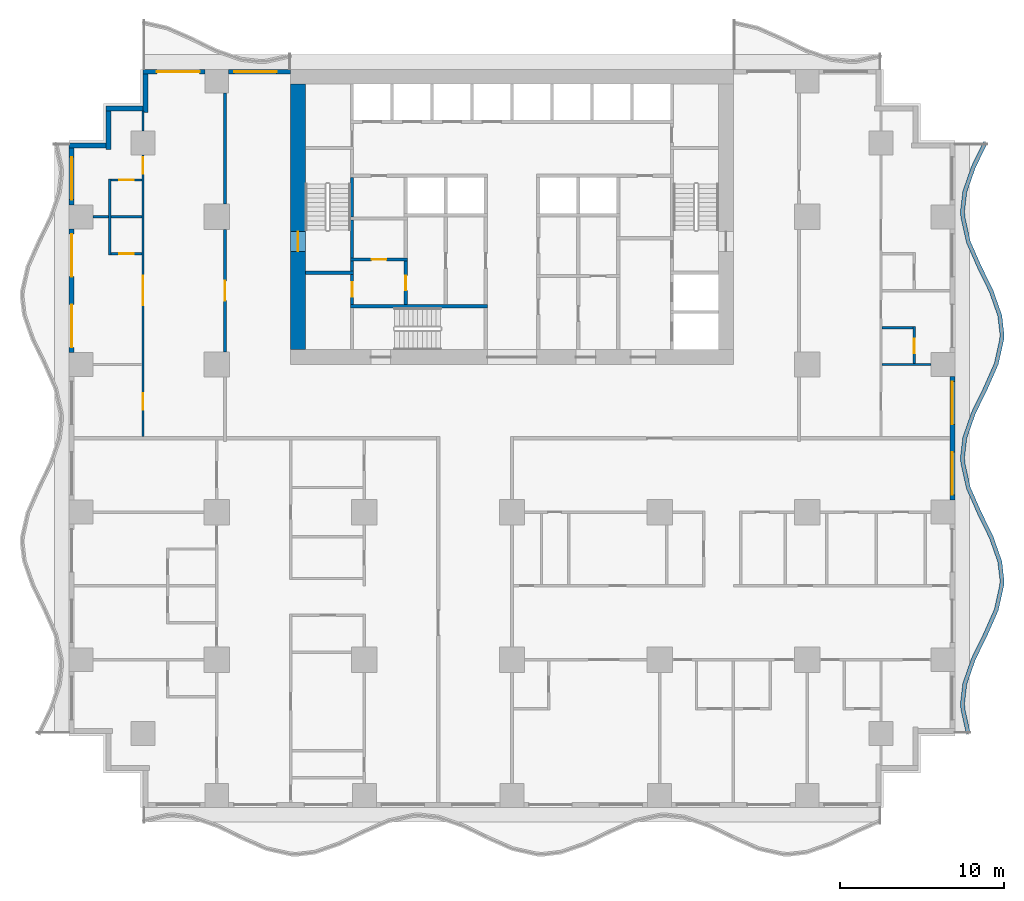
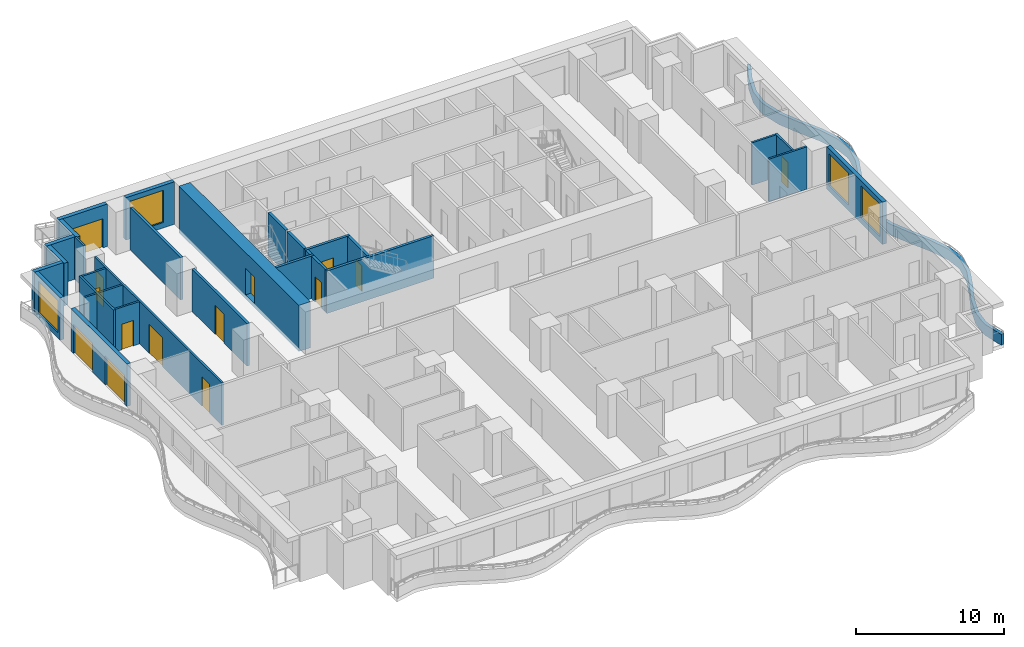
# One storey, part 5 of 14: 31 walls, 14 doors, 4 windows, 18 openings.
"""IFC4 building model written with IfcOpenShell, lengths in metres."""

import ifcopenshell
import ifcopenshell.guid

model = None  # the IFC model being written
_history = None  # IfcOwnerHistory: only IFC2X3 demands one
_inside = {}  # id of a spatial element -> (the spatial element, [elements in it])
_under = {}  # id of a project, library or spatial element -> (it, [spatial elements below it])
_declared = {}  # id of a project -> (the project, [libraries it declares])
_typed = {}  # id of a type object -> (the type object, [elements of that type])
_made_of = {}  # id of a material, layer set ... -> (it, [elements and type objects made of it])


def new_model(schema):
    """Start an empty IFC model of exactly this schema.

    Asked for "IFC4X3", IfcOpenShell would pick the latest addendum, in which some entities
    have other attributes; the version numbers below select the first issue.
    IFC2X3 requires an IfcOwnerHistory on every rooted entity: one is made here for all.
    """
    global model, _history
    if schema == "IFC4X3":
        model = ifcopenshell.file(schema_version=(4, 3, 0, 0))
    else:
        model = ifcopenshell.file(schema=schema)
    _inside.clear()
    _under.clear()
    _declared.clear()
    _typed.clear()
    _made_of.clear()
    _history = None
    if model.schema == "IFC2X3":
        org = make("IfcOrganization", Name="unknown")
        user = make(
            "IfcPersonAndOrganization",
            ThePerson=make("IfcPerson", FamilyName="unknown"),
            TheOrganization=org,
        )
        app = make(
            "IfcApplication",
            ApplicationDeveloper=org,
            Version="unknown",
            ApplicationFullName="unknown",
            ApplicationIdentifier="unknown",
        )
        _history = make(
            "IfcOwnerHistory",
            OwningUser=user,
            OwningApplication=app,
            ChangeAction="ADDED",
            CreationDate=0,
        )
    return model


def make(cls, **values):
    """One entity of the class cls with the attributes given. An attribute that is None is left unset."""
    return model.create_entity(
        cls, **{name: value for name, value in values.items() if value is not None}
    )


def rooted(cls, **values):
    """An entity with a GlobalId (a new one), such as an element, a storey or a relation."""
    return make(cls, GlobalId=ifcopenshell.guid.new(), OwnerHistory=_history, **values)


def si_unit(unit_type, name, prefix=None):
    """IfcSIUnit, for example si_unit("LENGTHUNIT", "METRE", prefix="MILLI")."""
    return make("IfcSIUnit", UnitType=unit_type, Prefix=prefix, Name=name)


def assignment(units):
    """IfcUnitAssignment: the units of a project."""
    return None if units is None else make("IfcUnitAssignment", Units=units)


def point(xyz):
    """IfcCartesianPoint."""
    return None if xyz is None else make("IfcCartesianPoint", Coordinates=xyz)


def direction(xyz):
    """IfcDirection."""
    return None if xyz is None else make("IfcDirection", DirectionRatios=xyz)


def frame(location, z_axis=None, x_axis=None):
    """IfcAxis2Placement3D, a coordinate frame: its origin and axes. An axis left out is left unset."""
    return make(
        "IfcAxis2Placement3D",
        Location=point(location),
        Axis=direction(z_axis),
        RefDirection=direction(x_axis),
    )


def frame_2d(location, x_axis=None):
    """IfcAxis2Placement2D, a coordinate frame in the plane: its origin and x axis."""
    return make(
        "IfcAxis2Placement2D", Location=point(location), RefDirection=direction(x_axis)
    )


def origin():
    """The frame at (0, 0, 0) with its axes left unset."""
    return frame((0.0, 0.0, 0.0))


def place(relative_to, where):
    """IfcLocalPlacement: puts the frame where relative to a parent placement (None: the world)."""
    return make(
        "IfcLocalPlacement", PlacementRelTo=relative_to, RelativePlacement=where
    )


def context(
    kind, dimensions, precision=None, world=None, true_north=None, identifier=None
):
    """IfcGeometricRepresentationContext, for example the 3D "Model" context."""
    return make(
        "IfcGeometricRepresentationContext",
        ContextIdentifier=identifier,
        ContextType=kind,
        CoordinateSpaceDimension=dimensions,
        Precision=precision,
        WorldCoordinateSystem=world,
        TrueNorth=true_north,
    )


def subcontext(parent, identifier, kind, view, scale=None):
    """IfcGeometricRepresentationSubContext, for example "Body" below "Model"."""
    return make(
        "IfcGeometricRepresentationSubContext",
        ContextIdentifier=identifier,
        ContextType=kind,
        ParentContext=parent,
        TargetScale=scale,
        TargetView=view,
    )


def project(units=None, contexts=None):
    """IfcProject with its units and contexts."""
    return rooted(
        "IfcProject",
        Name="project",
        RepresentationContexts=contexts,
        UnitsInContext=assignment(units),
    )


def spatial(cls, under=None, at=None, **own):
    """A site, building, storey or space (cls), placed at a placement, below another one or the project."""
    s = rooted(cls, ObjectPlacement=at, **own)
    if under is not None:
        _under.setdefault(under.id(), (under, []))[1].append(s)
    return s


def polyline(points):
    """IfcPolyline through the points."""
    return make("IfcPolyline", Points=[point(p) for p in points])


def profile(cls, at=None, kind="AREA", **sizes):
    """A parametric profile (cls). Its sizes go by their IFC names, for example OverallWidth=200.0."""
    return make(cls, ProfileType=kind, Position=at, **sizes)


def rectangle(**sizes):
    """IfcRectangleProfileDef."""
    return profile("IfcRectangleProfileDef", **sizes)


def outline(outer, holes=None, kind="AREA"):
    """IfcArbitraryClosedProfileDef: a profile drawn as a closed curve; with holes, ...WithVoids."""
    if holes is None:
        return make("IfcArbitraryClosedProfileDef", ProfileType=kind, OuterCurve=outer)
    return make(
        "IfcArbitraryProfileDefWithVoids",
        ProfileType=kind,
        OuterCurve=outer,
        InnerCurves=holes,
    )


def extrude(swept, where, along, depth):
    """IfcExtrudedAreaSolid: the profile swept, set in the frame where, extruded along a direction by depth."""
    return make(
        "IfcExtrudedAreaSolid",
        SweptArea=swept,
        Position=where,
        ExtrudedDirection=direction(along),
        Depth=depth,
    )


def shape(context_of_items, identifier, shape_type, items):
    """IfcShapeRepresentation: the items that make up one representation, for example the "Body"."""
    return make(
        "IfcShapeRepresentation",
        ContextOfItems=context_of_items,
        RepresentationIdentifier=identifier,
        RepresentationType=shape_type,
        Items=items,
    )


def material(Name=None, Category=None):
    """IfcMaterial."""
    return make("IfcMaterial", Name=Name, Category=Category)


def layer(
    of_material, thickness, ventilated=None, Name=None, Category=None, Priority=None
):
    """IfcMaterialLayer: one layer of a wall or slab, of a material (None: an air gap)."""
    return make(
        "IfcMaterialLayer",
        Material=of_material,
        LayerThickness=thickness,
        IsVentilated=ventilated,
        Name=Name,
        Category=Category,
        Priority=Priority,
    )


def layer_set(layers, Name=None):
    """IfcMaterialLayerSet."""
    return make("IfcMaterialLayerSet", MaterialLayers=layers, LayerSetName=Name)


def made_of(thing, what):
    """Note that an element or type object is made of a material, layer set ...; save() writes the relation."""
    if what is not None:
        _made_of.setdefault(what.id(), (what, []))[1].append(thing)
    return thing


def type_object(cls, material=None, **own):
    """A type object (cls), such as IfcWallType, which elements share."""
    return made_of(rooted(cls, **own), material)


def element(
    cls,
    number,
    at=None,
    inside=None,
    cuts=None,
    type_object=None,
    material=None,
    context=None,
    identifier="Body",
    shape_type=None,
    held_by="IfcProductDefinitionShape",
    body=None,
    shapes=None,
    **own,
):
    """One element of the class cls, such as IfcWall. Its Tag is "e" and its number.

    at: its placement. inside: the storey or other place that contains it. cuts: it is an
    opening in that element (IfcRelVoidsElement). A single representation is given by context,
    identifier, shape_type and body (its items); several are given by shapes. held_by: the class
    of the entity that holds the representations. save() writes the other relations.
    """
    e = rooted(cls, Tag="e%d" % number, ObjectPlacement=at, **own)
    if body is not None:
        shapes = [shape(context, identifier, shape_type, body)]
    if shapes is not None:
        e.Representation = make(held_by, Representations=shapes)
    if inside is not None:
        _inside.setdefault(inside.id(), (inside, []))[1].append(e)
    if cuts is not None:
        rooted(
            "IfcRelVoidsElement", RelatingBuildingElement=cuts, RelatedOpeningElement=e
        )
    if type_object is not None:
        _typed.setdefault(type_object.id(), (type_object, []))[1].append(e)
    return made_of(e, material)


def fill(opening, filler):
    """IfcRelFillsElement: the door or window that sits in an opening."""
    return rooted(
        "IfcRelFillsElement",
        RelatingOpeningElement=opening,
        RelatedBuildingElement=filler,
    )


def aggregate(whole, parts):
    """IfcRelAggregates: a whole, such as a stair, and the parts it consists of."""
    return rooted("IfcRelAggregates", RelatingObject=whole, RelatedObjects=parts)


def save(model, path):
    """Write the relations noted so far, then the file.

    IfcRelAggregates (storeys below a building ...), IfcRelContainedInSpatialStructure (elements
    in a storey), IfcRelDefinesByType, IfcRelAssociatesMaterial and IfcRelDeclares: one each for
    every whole, place, type object, material and project.
    """
    for whole, parts in _under.values():
        aggregate(whole, parts)
    for where, things in _inside.values():
        rooted(
            "IfcRelContainedInSpatialStructure",
            RelatedElements=things,
            RelatingStructure=where,
        )
    for kind, things in _typed.values():
        rooted("IfcRelDefinesByType", RelatedObjects=things, RelatingType=kind)
    for what, things in _made_of.values():
        rooted("IfcRelAssociatesMaterial", RelatedObjects=things, RelatingMaterial=what)
    for by, libraries in _declared.values():
        rooted("IfcRelDeclares", RelatingContext=by, RelatedDefinitions=libraries)
    model.write(path)


model = new_model("IFC4")

# Units and contexts
model_context = context("Model", 3, precision=1e-05, world=origin(), true_north=direction((0.0, 1.0)))
body_context = subcontext(model_context, "Body", "Model", "MODEL_VIEW")
ifc_project = project(units=[si_unit("LENGTHUNIT", "METRE"), si_unit("AREAUNIT", "SQUARE_METRE"), si_unit("VOLUMEUNIT", "CUBIC_METRE"), si_unit("PLANEANGLEUNIT", "RADIAN"), si_unit("MASSUNIT", "GRAM", prefix="KILO")], contexts=[model_context])

# Site, building, storey
site_placement = place(None, origin())
site = spatial("IfcSite", under=ifc_project, at=site_placement, CompositionType="ELEMENT")
building_placement = place(site_placement, origin())
building = spatial("IfcBuilding", under=site, at=building_placement, Name="Orbiselva Terraces", CompositionType="ELEMENT")
storey_placement = place(building_placement, frame((0.0, 0.0, 34.0)))
storey = spatial("IfcBuildingStorey", under=building, at=storey_placement, Name="L08", CompositionType="ELEMENT", Elevation=34.0)

# Wall, opening, door
ifc_material_1 = material(Name="Concrete C80/95", Category="concrete")
ifc_layer_1 = layer(ifc_material_1, 0.9)
ifc_layer_set_1 = layer_set([ifc_layer_1], Name="Concrete C80/95")
wall_type_1 = type_object("IfcWallType", Name="CORE WALL 900", PredefinedType="SHEAR", material=ifc_layer_set_1)
wall_1_placement = place(storey_placement, frame((-13.05, 21.6, -0.3), z_axis=(0.0, 0.0, 1.0), x_axis=(0.0, -1.0, 0.0)))
wall_1 = element("IfcWall", 1, at=wall_1_placement, inside=storey, type_object=wall_type_1, Name="Core wall L08 west", PredefinedType="SHEAR", context=body_context, shape_type="SweptSolid", body=[
    extrude(rectangle(XDim=16.2, YDim=0.9, at=frame_2d((8.1, 0.0))), origin(), (0.0, 0.0, 1.0), 3.8),
])
opening_1_placement = place(wall_1_placement, frame((9.0, 0.0, 0.3)))
opening_1 = element("IfcOpeningElement", 2, at=opening_1_placement, cuts=wall_1, Name="Opening DS1200", PredefinedType="OPENING", context=body_context, shape_type="SweptSolid", body=[
    extrude(rectangle(XDim=1.2, YDim=2.2, at=frame_2d((0.6, 1.1))), frame((0.0, 0.46, 0.0), z_axis=(0.0, -1.0, 0.0), x_axis=(1.0, 0.0, 0.0)), (0.0, 0.0, 1.0), 0.92),
])
ifc_material_2 = material(Name="Steel fire door", Category="steel")
door_type_1 = type_object("IfcDoorType", Name="STAIR DOOR 1200", OperationType="NOTDEFINED", PredefinedType="DOOR", material=ifc_material_2)
door_1_placement = place(opening_1_placement, frame((1.2, 0.0, 0.0), z_axis=(0.0, 0.0, 1.0), x_axis=(-1.0, 0.0, 0.0)))
door_1 = element("IfcDoor", 3, at=door_1_placement, inside=storey, type_object=door_type_1, Name="L08 EXIT STAIR S1 door", OperationType="SINGLE_SWING_RIGHT", OverallHeight=2.2, OverallWidth=1.2, PredefinedType="DOOR", context=body_context, shape_type="SweptSolid", body=[
    extrude(rectangle(XDim=1.2, YDim=2.2, at=frame_2d((0.6, 1.1))), frame((0.0, 0.025, 0.0), z_axis=(0.0, -1.0, 0.0), x_axis=(1.0, 0.0, 0.0)), (0.0, 0.0, 1.0), 0.05),
])
fill(opening_1, door_1)

ifc_material_3 = material(Name="Masonry blockwork", Category="masonry")
ifc_layer_2 = layer(ifc_material_3, 0.2)
ifc_layer_set_2 = layer_set([ifc_layer_2], Name="Masonry blockwork")
wall_type_2 = type_object("IfcWallType", Name="CORE-WALL-PARTITION-200", PredefinedType="PARTITIONING", material=ifc_layer_set_2)
wall_2_placement = place(storey_placement, frame((-9.75, 8.15, 0.0), z_axis=(0.0, 0.0, 1.0), x_axis=(0.0, 1.0, 0.0)))
wall_2 = element("IfcWall", 4, at=wall_2_placement, inside=storey, type_object=wall_type_2, Name="L08 core wall 05", PredefinedType="PARTITIONING", context=body_context, shape_type="SweptSolid", body=[
    extrude(rectangle(XDim=1.85, YDim=0.2, at=frame_2d((0.925, 0.0))), origin(), (0.0, 0.0, 1.0), 3.5),
])
opening_2_placement = place(wall_2_placement, frame((0.475, 0.0, 0.0)))
opening_2 = element("IfcOpeningElement", 5, at=opening_2_placement, cuts=wall_2, Name="Opening DR900", PredefinedType="OPENING", context=body_context, shape_type="SweptSolid", body=[
    extrude(rectangle(XDim=0.9, YDim=2.1, at=frame_2d((0.45, 1.05))), frame((0.0, 0.11, 0.0), z_axis=(0.0, -1.0, 0.0), x_axis=(1.0, 0.0, 0.0)), (0.0, 0.0, 1.0), 0.22),
])
door_type_2 = type_object("IfcDoorType", Name="ROOM DOOR 900", OperationType="NOTDEFINED", PredefinedType="DOOR", material=ifc_material_2)
door_2_placement = place(opening_2_placement, origin())
door_2 = element("IfcDoor", 6, at=door_2_placement, inside=storey, type_object=door_type_2, Name="L08 STAFF WC door", OperationType="SINGLE_SWING_RIGHT", OverallHeight=2.1, OverallWidth=0.9, PredefinedType="DOOR", context=body_context, shape_type="SweptSolid", body=[
    extrude(rectangle(XDim=0.9, YDim=2.1, at=frame_2d((0.45, 1.05))), frame((0.0, 0.025, 0.0), z_axis=(0.0, -1.0, 0.0), x_axis=(1.0, 0.0, 0.0)), (0.0, 0.0, 1.0), 0.05),
])
fill(opening_2, door_2)

wall_3_placement = place(storey_placement, frame((-6.475, 8.15, 0.0), z_axis=(0.0, 0.0, 1.0), x_axis=(0.0, 1.0, 0.0)))
wall_3 = element("IfcWall", 7, at=wall_3_placement, inside=storey, type_object=wall_type_2, Name="L08 core wall 17", PredefinedType="PARTITIONING", context=body_context, shape_type="SweptSolid", body=[
    extrude(rectangle(XDim=2.65, YDim=0.2, at=frame_2d((1.325, 0.0))), origin(), (0.0, 0.0, 1.0), 3.5),
])
opening_3_placement = place(wall_3_placement, frame((0.875, 0.0, 0.0)))
opening_3 = element("IfcOpeningElement", 8, at=opening_3_placement, cuts=wall_3, Name="Opening DR900", PredefinedType="OPENING", context=body_context, shape_type="SweptSolid", body=[
    extrude(rectangle(XDim=0.9, YDim=2.1, at=frame_2d((0.45, 1.05))), frame((0.0, 0.11, 0.0), z_axis=(0.0, -1.0, 0.0), x_axis=(1.0, 0.0, 0.0)), (0.0, 0.0, 1.0), 0.22),
])
door_3_placement = place(opening_3_placement, origin())
door_3 = element("IfcDoor", 9, at=door_3_placement, inside=storey, type_object=door_type_2, Name="L08 UNIFORM STORE door", OperationType="SINGLE_SWING_LEFT", OverallHeight=2.1, OverallWidth=0.9, PredefinedType="DOOR", context=body_context, shape_type="SweptSolid", body=[
    extrude(rectangle(XDim=0.9, YDim=2.1, at=frame_2d((0.45, 1.05))), frame((0.0, 0.025, 0.0), z_axis=(0.0, -1.0, 0.0), x_axis=(1.0, 0.0, 0.0)), (0.0, 0.0, 1.0), 0.05),
])
fill(opening_3, door_3)

# Walls
ifc_material_4 = material(Name="Concrete C60/75", Category="concrete")
ifc_layer_3 = layer(ifc_material_4, 0.2)
ifc_layer_set_3 = layer_set([ifc_layer_3], Name="Concrete C60/75")
wall_type_3 = type_object("IfcWallType", Name="CORE-WALL-SHEAR-200", PredefinedType="SHEAR", material=ifc_layer_set_3)
wall_4_placement = place(storey_placement, frame((-12.6, 10.1, 0.0), z_axis=(0.0, 0.0, 1.0), x_axis=(1.0, 0.0, 0.0)))
element("IfcWall", 10, at=wall_4_placement, inside=storey, type_object=wall_type_3, Name="L08 core wall 01", PredefinedType="SHEAR", context=body_context, shape_type="SweptSolid", body=[
    extrude(rectangle(XDim=2.95, YDim=0.2, at=frame_2d((1.475, 0.0))), origin(), (0.0, 0.0, 1.0), 3.5),
])
wall_5_placement = place(storey_placement, frame((-9.85, 8.05, 0.0), z_axis=(0.0, 0.0, 1.0), x_axis=(1.0, 0.0, 0.0)))
element("IfcWall", 11, at=wall_5_placement, inside=storey, type_object=wall_type_3, Name="L08 core wall 04", PredefinedType="SHEAR", context=body_context, shape_type="SweptSolid", body=[
    extrude(rectangle(XDim=8.35, YDim=0.2, at=frame_2d((4.175, 0.0))), origin(), (0.0, 0.0, 1.0), 3.5),
])
wall_6_placement = place(storey_placement, frame((-9.75, 10.2, 0.0), z_axis=(0.0, 0.0, 1.0), x_axis=(0.0, 1.0, 0.0)))
element("IfcWall", 12, at=wall_6_placement, inside=storey, type_object=wall_type_3, Name="L08 core wall 06", PredefinedType="SHEAR", context=body_context, shape_type="SweptSolid", body=[
    extrude(rectangle(XDim=0.6, YDim=0.2, at=frame_2d((0.3, 0.0))), origin(), (0.0, 0.0, 1.0), 3.5),
])

# Wall, opening, door
wall_7_placement = place(storey_placement, frame((-9.85, 10.9, 0.0), z_axis=(0.0, 0.0, 1.0), x_axis=(1.0, 0.0, 0.0)))
wall_7 = element("IfcWall", 13, at=wall_7_placement, inside=storey, type_object=wall_type_3, Name="L08 core wall 07", PredefinedType="SHEAR", context=body_context, shape_type="SweptSolid", body=[
    extrude(rectangle(XDim=3.475, YDim=0.2, at=frame_2d((1.7375, 0.0))), origin(), (0.0, 0.0, 1.0), 3.5),
])
opening_4_placement = place(wall_7_placement, frame((1.2875, 0.0, 0.0)))
opening_4 = element("IfcOpeningElement", 14, at=opening_4_placement, cuts=wall_7, Name="Opening DR900", PredefinedType="OPENING", context=body_context, shape_type="SweptSolid", body=[
    extrude(rectangle(XDim=0.9, YDim=2.1, at=frame_2d((0.45, 1.05))), frame((0.0, 0.11, 0.0), z_axis=(0.0, -1.0, 0.0), x_axis=(1.0, 0.0, 0.0)), (0.0, 0.0, 1.0), 0.22),
])
door_4_placement = place(opening_4_placement, origin())
door_4 = element("IfcDoor", 15, at=door_4_placement, inside=storey, type_object=door_type_2, Name="L08 LAUNDRY ROOM door", OperationType="SINGLE_SWING_RIGHT", OverallHeight=2.1, OverallWidth=0.9, PredefinedType="DOOR", context=body_context, shape_type="SweptSolid", body=[
    extrude(rectangle(XDim=0.9, YDim=2.1, at=frame_2d((0.45, 1.05))), frame((0.0, 0.025, 0.0), z_axis=(0.0, -1.0, 0.0), x_axis=(1.0, 0.0, 0.0)), (0.0, 0.0, 1.0), 0.05),
])
fill(opening_4, door_4)

# Walls
wall_8_placement = place(storey_placement, frame((-9.75, 11.0, 0.0), z_axis=(0.0, 0.0, 1.0), x_axis=(0.0, 1.0, 0.0)))
element("IfcWall", 16, at=wall_8_placement, inside=storey, type_object=wall_type_3, Name="L08 core wall 08", PredefinedType="SHEAR", context=body_context, shape_type="SweptSolid", body=[
    extrude(rectangle(XDim=2.3, YDim=0.2, at=frame_2d((1.15, 0.0))), origin(), (0.0, 0.0, 1.0), 3.5),
])
wall_9_placement = place(storey_placement, frame((-9.75, 13.5, 0.0), z_axis=(0.0, 0.0, 1.0), x_axis=(0.0, 1.0, 0.0)))
element("IfcWall", 17, at=wall_9_placement, inside=storey, type_object=wall_type_3, Name="L08 core wall 10", PredefinedType="SHEAR", context=body_context, shape_type="SweptSolid", body=[
    extrude(rectangle(XDim=2.4, YDim=0.2, at=frame_2d((1.2, 0.0))), origin(), (0.0, 0.0, 1.0), 3.5),
])
ifc_material_5 = material(Name="Concrete C40/50", Category="concrete")
ifc_layer_4 = layer(ifc_material_5, 0.25)
ifc_layer_set_4 = layer_set([ifc_layer_4], Name="Concrete C40/50")
wall_type_4 = type_object("IfcWallType", Name="ENV-PLANTER-250x900", PredefinedType="USERDEFINED", material=ifc_layer_set_4)
wall_10_placement = place(storey_placement, origin())
element("IfcWall", 18, at=wall_10_placement, inside=storey, type_object=wall_type_4, Name="Balcony planter L08 E", ObjectType="PLANTER", PredefinedType="USERDEFINED", context=body_context, shape_type="SweptSolid", body=[
    extrude(outline(polyline([(27.951472, -18.0), (27.614774, -16.5), (27.6, -16.125), (27.730792, -15.0), (28.255211, -13.5), (28.987721, -12.0), (29.648528, -10.5), (29.985226, -9.0), (30.0, -8.625), (29.869208, -7.5), (29.344789, -6.0), (28.612279, -4.5), (27.951472, -3.0), (27.614774, -1.5), (27.6, -1.125), (27.730792, 0.0), (28.255211, 1.5), (28.987721, 3.0), (29.648528, 4.5), (29.985226, 6.0), (30.0, 6.375), (29.869208, 7.5), (29.344789, 9.0), (28.612279, 10.5), (27.951472, 12.0), (27.614774, 13.5), (27.6, 13.875), (27.730792, 15.0), (28.255211, 16.5), (28.987721, 18.0), (28.763076, 18.109703), (28.024089, 16.59644), (27.485662, 15.056371), (27.349429, 13.884572), (27.365863, 13.467435), (27.712874, 11.921492), (28.385477, 10.394714), (29.113667, 8.90356), (29.624078, 7.443629), (29.749429, 6.365428), (29.736315, 6.032565), (29.40993, 4.578508), (28.760919, 3.105286), (28.024089, 1.59644), (27.485662, 0.056371), (27.349429, -1.115428), (27.365863, -1.532565), (27.712874, -3.078508), (28.385477, -4.605286), (29.113667, -6.09644), (29.624078, -7.556371), (29.749429, -8.634572), (29.736315, -8.967435), (29.40993, -10.421492), (28.760919, -11.894714), (28.024089, -13.40356), (27.485662, -14.943629), (27.349429, -16.115428), (27.365863, -16.532565), (27.707542, -18.054754), (27.951472, -18.0)])), origin(), (0.0, 0.0, 1.0), 0.9),
])

# Wall, openings, windows
ifc_material_6 = material(Name="Terracotta cladding on masonry backing", Category="masonry")
ifc_layer_5 = layer(ifc_material_6, 0.3)
ifc_layer_set_5 = layer_set([ifc_layer_5], Name="Terracotta cladding on masonry backing")
wall_type_5 = type_object("IfcWallType", Name="ENV-WALL-TERRACOTTA-300", PredefinedType="SOLIDWALL", material=ifc_layer_set_5)
wall_11_placement = place(storey_placement, frame((26.85, 3.775, 0.0), z_axis=(0.0, 0.0, 1.0), x_axis=(0.0, -1.0, 0.0)))
wall_11 = element("IfcWall", 19, at=wall_11_placement, inside=storey, type_object=wall_type_5, Name="Facade wall L08 E", PredefinedType="SOLIDWALL", context=body_context, shape_type="SweptSolid", body=[
    extrude(rectangle(XDim=7.55, YDim=0.3, at=frame_2d((3.775, 0.0))), origin(), (0.0, 0.0, 1.0), 3.5),
])
opening_5_placement = place(wall_11_placement, frame((4.625, 0.0, 0.45)))
opening_5 = element("IfcOpeningElement", 20, at=opening_5_placement, cuts=wall_11, Name="Opening WN1", PredefinedType="OPENING", context=body_context, shape_type="SweptSolid", body=[
    extrude(rectangle(XDim=2.6, YDim=2.65, at=frame_2d((1.3, 1.325))), frame((0.0, 0.16, 0.0), z_axis=(0.0, -1.0, 0.0), x_axis=(1.0, 0.0, 0.0)), (0.0, 0.0, 1.0), 0.32),
])
opening_6_placement = place(wall_11_placement, frame((0.325, 0.0, 0.45)))
opening_6 = element("IfcOpeningElement", 21, at=opening_6_placement, cuts=wall_11, Name="Opening WN1", PredefinedType="OPENING", context=body_context, shape_type="SweptSolid", body=[
    extrude(rectangle(XDim=2.6, YDim=2.65, at=frame_2d((1.3, 1.325))), frame((0.0, 0.16, 0.0), z_axis=(0.0, -1.0, 0.0), x_axis=(1.0, 0.0, 0.0)), (0.0, 0.0, 1.0), 0.32),
])
ifc_material_7 = material(Name="Clear low-e glazing in aluminium frame", Category="aluminium")
window_type = type_object("IfcWindowType", Name="WINDOW 2600 X 2650 S450", PartitioningType="TRIPLE_PANEL_VERTICAL", PredefinedType="WINDOW", material=ifc_material_7)
window_1_placement = place(opening_5_placement, origin())
window_1 = element("IfcWindow", 22, at=window_1_placement, inside=storey, type_object=window_type, Name="Window L08 E", OverallHeight=2.65, OverallWidth=2.6, PartitioningType="SINGLE_PANEL", PredefinedType="WINDOW", context=body_context, shape_type="SweptSolid", body=[
    extrude(rectangle(XDim=2.6, YDim=2.65, at=frame_2d((1.3, 1.325))), frame((0.0, 0.03, 0.0), z_axis=(0.0, -1.0, 0.0), x_axis=(1.0, 0.0, 0.0)), (0.0, 0.0, 1.0), 0.06),
])
fill(opening_5, window_1)
window_2_placement = place(opening_6_placement, origin())
window_2 = element("IfcWindow", 23, at=window_2_placement, inside=storey, type_object=window_type, Name="Window L08 E", OverallHeight=2.65, OverallWidth=2.6, PartitioningType="SINGLE_PANEL", PredefinedType="WINDOW", context=body_context, shape_type="SweptSolid", body=[
    extrude(rectangle(XDim=2.6, YDim=2.65, at=frame_2d((1.3, 1.325))), frame((0.0, 0.03, 0.0), z_axis=(0.0, -1.0, 0.0), x_axis=(1.0, 0.0, 0.0)), (0.0, 0.0, 1.0), 0.06),
])
fill(opening_6, window_2)

# Wall, opening, window
wall_12_placement = place(storey_placement, frame((-17.275, 22.35, 0.0), z_axis=(0.0, 0.0, 1.0), x_axis=(1.0, 0.0, 0.0)))
wall_12 = element("IfcWall", 24, at=wall_12_placement, inside=storey, type_object=wall_type_5, Name="Facade wall L08 NW", PredefinedType="SOLIDWALL", context=body_context, shape_type="SweptSolid", body=[
    extrude(rectangle(XDim=3.775, YDim=0.3, at=frame_2d((1.8875, 0.0))), origin(), (0.0, 0.0, 1.0), 3.5),
])
opening_7_placement = place(wall_12_placement, frame((0.325, 0.0, 0.45)))
opening_7 = element("IfcOpeningElement", 25, at=opening_7_placement, cuts=wall_12, Name="Opening WN1", PredefinedType="OPENING", context=body_context, shape_type="SweptSolid", body=[
    extrude(rectangle(XDim=2.6, YDim=2.65, at=frame_2d((1.3, 1.325))), frame((0.0, 0.16, 0.0), z_axis=(0.0, -1.0, 0.0), x_axis=(1.0, 0.0, 0.0)), (0.0, 0.0, 1.0), 0.32),
])
window_3_placement = place(opening_7_placement, origin())
window_3 = element("IfcWindow", 26, at=window_3_placement, inside=storey, type_object=window_type, Name="Window L08 NW", OverallHeight=2.65, OverallWidth=2.6, PartitioningType="SINGLE_PANEL", PredefinedType="WINDOW", context=body_context, shape_type="SweptSolid", body=[
    extrude(rectangle(XDim=2.6, YDim=2.65, at=frame_2d((1.3, 1.325))), frame((0.0, 0.03, 0.0), z_axis=(0.0, -1.0, 0.0), x_axis=(1.0, 0.0, 0.0)), (0.0, 0.0, 1.0), 0.06),
])
fill(opening_7, window_3)

# Wall, opening, door
wall_13_placement = place(storey_placement, frame((-22.5, 22.35, 0.0), z_axis=(0.0, 0.0, 1.0), x_axis=(1.0, 0.0, 0.0)))
wall_13 = element("IfcWall", 27, at=wall_13_placement, inside=storey, type_object=wall_type_5, Name="Facade wall L08 NW", PredefinedType="SOLIDWALL", context=body_context, shape_type="SweptSolid", body=[
    extrude(rectangle(XDim=3.775, YDim=0.3, at=frame_2d((1.8875, 0.0))), origin(), (0.0, 0.0, 1.0), 3.5),
])
opening_8_placement = place(wall_13_placement, frame((0.85, 0.0, 0.0)))
opening_8 = element("IfcOpeningElement", 28, at=opening_8_placement, cuts=wall_13, Name="Opening Z1-B-E22", PredefinedType="OPENING", context=body_context, shape_type="SweptSolid", body=[
    extrude(rectangle(XDim=2.6, YDim=2.4, at=frame_2d((1.3, 1.2))), frame((0.0, 0.16, 0.0), z_axis=(0.0, -1.0, 0.0), x_axis=(1.0, 0.0, 0.0)), (0.0, 0.0, 1.0), 0.32),
])
door_type_3 = type_object("IfcDoorType", Name="BALCONY DOOR 2600 X 2400", OperationType="DOUBLE_DOOR_SLIDING", PredefinedType="DOOR", material=ifc_material_7)
door_5_placement = place(opening_8_placement, origin())
door_5 = element("IfcDoor", 29, at=door_5_placement, inside=storey, type_object=door_type_3, Name="Z1-B-E22", OperationType="SINGLE_SWING_LEFT", OverallHeight=2.4, OverallWidth=2.6, PredefinedType="DOOR", context=body_context, shape_type="SweptSolid", body=[
    extrude(rectangle(XDim=2.6, YDim=2.4, at=frame_2d((1.3, 1.2))), frame((0.0, 0.025, 0.0), z_axis=(0.0, -1.0, 0.0), x_axis=(1.0, 0.0, 0.0)), (0.0, 0.0, 1.0), 0.05),
])
fill(opening_8, door_5)

# Walls
wall_14_placement = place(storey_placement, frame((-22.35, 19.85, 0.0), z_axis=(0.0, 0.0, 1.0), x_axis=(0.0, 1.0, 0.0)))
element("IfcWall", 30, at=wall_14_placement, inside=storey, type_object=wall_type_5, Name="Facade wall L08 STEP", PredefinedType="SOLIDWALL", context=body_context, shape_type="SweptSolid", body=[
    extrude(rectangle(XDim=2.35, YDim=0.3, at=frame_2d((1.175, 0.0))), origin(), (0.0, 0.0, 1.0), 3.5),
])
wall_15_placement = place(storey_placement, frame((-24.75, 20.1, 0.0), z_axis=(0.0, 0.0, 1.0), x_axis=(1.0, 0.0, 0.0)))
element("IfcWall", 31, at=wall_15_placement, inside=storey, type_object=wall_type_5, Name="Facade wall L08 STEP", PredefinedType="SOLIDWALL", context=body_context, shape_type="SweptSolid", body=[
    extrude(rectangle(XDim=2.25, YDim=0.3, at=frame_2d((1.125, 0.0))), origin(), (0.0, 0.0, 1.0), 3.5),
])
wall_16_placement = place(storey_placement, frame((-24.6, 17.6, 0.0), z_axis=(0.0, 0.0, 1.0), x_axis=(0.0, 1.0, 0.0)))
element("IfcWall", 32, at=wall_16_placement, inside=storey, type_object=wall_type_5, Name="Facade wall L08 STEP", PredefinedType="SOLIDWALL", context=body_context, shape_type="SweptSolid", body=[
    extrude(rectangle(XDim=2.35, YDim=0.3, at=frame_2d((1.175, 0.0))), origin(), (0.0, 0.0, 1.0), 3.5),
])
wall_17_placement = place(storey_placement, frame((-27.0, 17.85, 0.0), z_axis=(0.0, 0.0, 1.0), x_axis=(1.0, 0.0, 0.0)))
element("IfcWall", 33, at=wall_17_placement, inside=storey, type_object=wall_type_5, Name="Facade wall L08 STEP", PredefinedType="SOLIDWALL", context=body_context, shape_type="SweptSolid", body=[
    extrude(rectangle(XDim=2.25, YDim=0.3, at=frame_2d((1.125, 0.0))), origin(), (0.0, 0.0, 1.0), 3.5),
])

# Wall, opening, window
wall_18_placement = place(storey_placement, frame((-26.85, 14.225, 0.0), z_axis=(0.0, 0.0, 1.0), x_axis=(0.0, 1.0, 0.0)))
wall_18 = element("IfcWall", 34, at=wall_18_placement, inside=storey, type_object=wall_type_5, Name="Facade wall L08 W", PredefinedType="SOLIDWALL", context=body_context, shape_type="SweptSolid", body=[
    extrude(rectangle(XDim=3.475, YDim=0.3, at=frame_2d((1.7375, 0.0))), origin(), (0.0, 0.0, 1.0), 3.5),
])
opening_9_placement = place(wall_18_placement, frame((0.325, 0.0, 0.45)))
opening_9 = element("IfcOpeningElement", 35, at=opening_9_placement, cuts=wall_18, Name="Opening WN1", PredefinedType="OPENING", context=body_context, shape_type="SweptSolid", body=[
    extrude(rectangle(XDim=2.6, YDim=2.65, at=frame_2d((1.3, 1.325))), frame((0.0, 0.16, 0.0), z_axis=(0.0, -1.0, 0.0), x_axis=(1.0, 0.0, 0.0)), (0.0, 0.0, 1.0), 0.32),
])
window_4_placement = place(opening_9_placement, origin())
window_4 = element("IfcWindow", 36, at=window_4_placement, inside=storey, type_object=window_type, Name="Window L08 W", OverallHeight=2.65, OverallWidth=2.6, PartitioningType="SINGLE_PANEL", PredefinedType="WINDOW", context=body_context, shape_type="SweptSolid", body=[
    extrude(rectangle(XDim=2.6, YDim=2.65, at=frame_2d((1.3, 1.325))), frame((0.0, 0.03, 0.0), z_axis=(0.0, -1.0, 0.0), x_axis=(1.0, 0.0, 0.0)), (0.0, 0.0, 1.0), 0.06),
])
fill(opening_9, window_4)

# Wall, openings, doors
wall_19_placement = place(storey_placement, frame((-26.85, 5.225, 0.0), z_axis=(0.0, 0.0, 1.0), x_axis=(0.0, 1.0, 0.0)))
wall_19 = element("IfcWall", 37, at=wall_19_placement, inside=storey, type_object=wall_type_5, Name="Facade wall L08 W", PredefinedType="SOLIDWALL", context=body_context, shape_type="SweptSolid", body=[
    extrude(rectangle(XDim=7.55, YDim=0.3, at=frame_2d((3.775, 0.0))), origin(), (0.0, 0.0, 1.0), 3.5),
])
opening_10_placement = place(wall_19_placement, frame((4.625, 0.0, 0.0)))
opening_10 = element("IfcOpeningElement", 38, at=opening_10_placement, cuts=wall_19, Name="Opening Z1-B-E23", PredefinedType="OPENING", context=body_context, shape_type="SweptSolid", body=[
    extrude(rectangle(XDim=2.6, YDim=2.4, at=frame_2d((1.3, 1.2))), frame((0.0, 0.16, 0.0), z_axis=(0.0, -1.0, 0.0), x_axis=(1.0, 0.0, 0.0)), (0.0, 0.0, 1.0), 0.32),
])
opening_11_placement = place(wall_19_placement, frame((0.325, 0.0, 0.0)))
opening_11 = element("IfcOpeningElement", 39, at=opening_11_placement, cuts=wall_19, Name="Opening Z1-B-E10", PredefinedType="OPENING", context=body_context, shape_type="SweptSolid", body=[
    extrude(rectangle(XDim=2.6, YDim=2.4, at=frame_2d((1.3, 1.2))), frame((0.0, 0.16, 0.0), z_axis=(0.0, -1.0, 0.0), x_axis=(1.0, 0.0, 0.0)), (0.0, 0.0, 1.0), 0.32),
])
door_6_placement = place(opening_10_placement, origin())
door_6 = element("IfcDoor", 40, at=door_6_placement, inside=storey, type_object=door_type_3, Name="Z1-B-E23", OperationType="SINGLE_SWING_LEFT", OverallHeight=2.4, OverallWidth=2.6, PredefinedType="DOOR", context=body_context, shape_type="SweptSolid", body=[
    extrude(rectangle(XDim=2.6, YDim=2.4, at=frame_2d((1.3, 1.2))), frame((0.0, 0.025, 0.0), z_axis=(0.0, -1.0, 0.0), x_axis=(1.0, 0.0, 0.0)), (0.0, 0.0, 1.0), 0.05),
])
fill(opening_10, door_6)
door_7_placement = place(opening_11_placement, origin())
door_7 = element("IfcDoor", 41, at=door_7_placement, inside=storey, type_object=door_type_3, Name="Z1-B-E10", OperationType="SINGLE_SWING_LEFT", OverallHeight=2.4, OverallWidth=2.6, PredefinedType="DOOR", context=body_context, shape_type="SweptSolid", body=[
    extrude(rectangle(XDim=2.6, YDim=2.4, at=frame_2d((1.3, 1.2))), frame((0.0, 0.025, 0.0), z_axis=(0.0, -1.0, 0.0), x_axis=(1.0, 0.0, 0.0)), (0.0, 0.0, 1.0), 0.05),
])
fill(opening_11, door_7)

# Wall, opening, door
ifc_material_8 = material(Name="Plasterboard on steel stud partition", Category="steel")
ifc_layer_6 = layer(ifc_material_8, 0.2)
ifc_layer_set_6 = layer_set([ifc_layer_6], Name="Plasterboard on steel stud partition")
wall_type_6 = type_object("IfcWallType", Name="UNIT-ENTRANCE-WALL-200", PredefinedType="PARTITIONING", material=ifc_layer_set_6)
wall_20_placement = place(storey_placement, frame((-17.5, 5.275, 0.0), z_axis=(0.0, 0.0, 1.0), x_axis=(0.0, 1.0, 0.0)))
wall_20 = element("IfcWall", 42, at=wall_20_placement, inside=storey, type_object=wall_type_6, Name="PARTITION L08-050", PredefinedType="PARTITIONING", context=body_context, shape_type="SweptSolid", body=[
    extrude(rectangle(XDim=7.45, YDim=0.2, at=frame_2d((3.725, 0.0))), origin(), (0.0, 0.0, 1.0), 3.5),
])
opening_12_placement = place(wall_20_placement, frame((3.125, 0.0, 0.0)))
opening_12 = element("IfcOpeningElement", 43, at=opening_12_placement, cuts=wall_20, Name="Opening Z1-B-01", PredefinedType="OPENING", context=body_context, shape_type="SweptSolid", body=[
    extrude(rectangle(XDim=1.2, YDim=2.4, at=frame_2d((0.6, 1.2))), frame((0.0, 0.11, 0.0), z_axis=(0.0, -1.0, 0.0), x_axis=(1.0, 0.0, 0.0)), (0.0, 0.0, 1.0), 0.22),
])
ifc_material_9 = material(Name="Painted timber door leaf", Category="wood")
door_type_4 = type_object("IfcDoorType", Name="ENTRANCE DOOR 1200", OperationType="NOTDEFINED", PredefinedType="DOOR", material=ifc_material_9)
door_8_placement = place(opening_12_placement, origin())
door_8 = element("IfcDoor", 44, at=door_8_placement, inside=storey, type_object=door_type_4, Name="Z1-B-01", OperationType="SINGLE_SWING_LEFT", OverallHeight=2.4, OverallWidth=1.2, PredefinedType="DOOR", context=body_context, shape_type="SweptSolid", body=[
    extrude(rectangle(XDim=1.2, YDim=2.4, at=frame_2d((0.6, 1.2))), frame((0.0, 0.025, 0.0), z_axis=(0.0, -1.0, 0.0), x_axis=(1.0, 0.0, 0.0)), (0.0, 0.0, 1.0), 0.05),
])
fill(opening_12, door_8)

# Walls
wall_21_placement = place(storey_placement, frame((-17.5, 14.275, 0.0), z_axis=(0.0, 0.0, 1.0), x_axis=(0.0, 1.0, 0.0)))
element("IfcWall", 45, at=wall_21_placement, inside=storey, type_object=wall_type_6, Name="PARTITION L08-051", PredefinedType="PARTITIONING", context=body_context, shape_type="SweptSolid", body=[
    extrude(rectangle(XDim=6.775, YDim=0.2, at=frame_2d((3.3875, 0.0))), origin(), (0.0, 0.0, 1.0), 3.5),
])
ifc_layer_7 = layer(ifc_material_8, 0.15)
ifc_layer_set_7 = layer_set([ifc_layer_7], Name="Plasterboard on steel stud partition")
wall_type_7 = type_object("IfcWallType", Name="UNIT-PARTITION-150", PredefinedType="PARTITIONING", material=ifc_layer_set_7)
wall_22_placement = place(storey_placement, frame((22.575, 4.5, 0.0), z_axis=(0.0, 0.0, 1.0), x_axis=(1.0, 0.0, 0.0)))
element("IfcWall", 46, at=wall_22_placement, inside=storey, type_object=wall_type_7, Name="PARTITION L08-033", PredefinedType="PARTITIONING", context=body_context, shape_type="SweptSolid", body=[
    extrude(rectangle(XDim=2.975, YDim=0.15, at=frame_2d((1.4875, 0.0))), origin(), (0.0, 0.0, 1.0), 3.5),
])
wall_23_placement = place(storey_placement, frame((22.575, 6.75, 0.0), z_axis=(0.0, 0.0, 1.0), x_axis=(1.0, 0.0, 0.0)))
element("IfcWall", 47, at=wall_23_placement, inside=storey, type_object=wall_type_7, Name="PARTITION L08-034", PredefinedType="PARTITIONING", context=body_context, shape_type="SweptSolid", body=[
    extrude(rectangle(XDim=1.875, YDim=0.15, at=frame_2d((0.9375, 0.0))), origin(), (0.0, 0.0, 1.0), 3.5),
])

# Wall, opening, door
wall_24_placement = place(storey_placement, frame((-24.45, 11.25, 0.0), z_axis=(0.0, 0.0, 1.0), x_axis=(1.0, 0.0, 0.0)))
wall_24 = element("IfcWall", 48, at=wall_24_placement, inside=storey, type_object=wall_type_7, Name="PARTITION L08-036", PredefinedType="PARTITIONING", context=body_context, shape_type="SweptSolid", body=[
    extrude(rectangle(XDim=1.875, YDim=0.15, at=frame_2d((0.9375, 0.0))), origin(), (0.0, 0.0, 1.0), 3.5),
])
opening_13_placement = place(wall_24_placement, frame((0.5, 0.0, 0.0)))
opening_13 = element("IfcOpeningElement", 49, at=opening_13_placement, cuts=wall_24, Name="Opening Z1-B-04", PredefinedType="OPENING", context=body_context, shape_type="SweptSolid", body=[
    extrude(rectangle(XDim=0.9, YDim=2.1, at=frame_2d((0.45, 1.05))), frame((0.0, 0.085, 0.0), z_axis=(0.0, -1.0, 0.0), x_axis=(1.0, 0.0, 0.0)), (0.0, 0.0, 1.0), 0.17),
])
door_type_5 = type_object("IfcDoorType", Name="BATH DOOR 900", OperationType="NOTDEFINED", PredefinedType="DOOR", material=ifc_material_9)
door_9_placement = place(opening_13_placement, origin())
door_9 = element("IfcDoor", 50, at=door_9_placement, inside=storey, type_object=door_type_5, Name="Z1-B-04", OperationType="SINGLE_SWING_RIGHT", OverallHeight=2.1, OverallWidth=0.9, PredefinedType="DOOR", context=body_context, shape_type="SweptSolid", body=[
    extrude(rectangle(XDim=0.9, YDim=2.1, at=frame_2d((0.45, 1.05))), frame((0.0, 0.025, 0.0), z_axis=(0.0, -1.0, 0.0), x_axis=(1.0, 0.0, 0.0)), (0.0, 0.0, 1.0), 0.05),
])
fill(opening_13, door_9)

# Walls
wall_25_placement = place(storey_placement, frame((-25.55, 13.5, 0.0), z_axis=(0.0, 0.0, 1.0), x_axis=(1.0, 0.0, 0.0)))
element("IfcWall", 51, at=wall_25_placement, inside=storey, type_object=wall_type_7, Name="PARTITION L08-038", PredefinedType="PARTITIONING", context=body_context, shape_type="SweptSolid", body=[
    extrude(rectangle(XDim=0.95, YDim=0.15, at=frame_2d((0.475, 0.0))), origin(), (0.0, 0.0, 1.0), 3.5),
])
wall_26_placement = place(storey_placement, frame((-24.45, 13.5, 0.0), z_axis=(0.0, 0.0, 1.0), x_axis=(1.0, 0.0, 0.0)))
element("IfcWall", 52, at=wall_26_placement, inside=storey, type_object=wall_type_7, Name="PARTITION L08-039", PredefinedType="PARTITIONING", context=body_context, shape_type="SweptSolid", body=[
    extrude(rectangle(XDim=1.875, YDim=0.15, at=frame_2d((0.9375, 0.0))), origin(), (0.0, 0.0, 1.0), 3.5),
])

# Wall, opening, door
wall_27_placement = place(storey_placement, frame((-22.575, 15.75, 0.0), z_axis=(0.0, 0.0, 1.0), x_axis=(-1.0, 0.0, 0.0)))
wall_27 = element("IfcWall", 53, at=wall_27_placement, inside=storey, type_object=wall_type_7, Name="PARTITION L08-040", PredefinedType="PARTITIONING", context=body_context, shape_type="SweptSolid", body=[
    extrude(rectangle(XDim=1.875, YDim=0.15, at=frame_2d((0.9375, 0.0))), origin(), (0.0, 0.0, 1.0), 3.5),
])
opening_14_placement = place(wall_27_placement, frame((0.475, 0.0, 0.0)))
opening_14 = element("IfcOpeningElement", 54, at=opening_14_placement, cuts=wall_27, Name="Opening Z1-B-06", PredefinedType="OPENING", context=body_context, shape_type="SweptSolid", body=[
    extrude(rectangle(XDim=0.9, YDim=2.1, at=frame_2d((0.45, 1.05))), frame((0.0, 0.085, 0.0), z_axis=(0.0, -1.0, 0.0), x_axis=(1.0, 0.0, 0.0)), (0.0, 0.0, 1.0), 0.17),
])
door_10_placement = place(opening_14_placement, origin())
door_10 = element("IfcDoor", 55, at=door_10_placement, inside=storey, type_object=door_type_5, Name="Z1-B-06", OperationType="SINGLE_SWING_LEFT", OverallHeight=2.1, OverallWidth=0.9, PredefinedType="DOOR", context=body_context, shape_type="SweptSolid", body=[
    extrude(rectangle(XDim=0.9, YDim=2.1, at=frame_2d((0.45, 1.05))), frame((0.0, 0.025, 0.0), z_axis=(0.0, -1.0, 0.0), x_axis=(1.0, 0.0, 0.0)), (0.0, 0.0, 1.0), 0.05),
])
fill(opening_14, door_10)

# Wall
wall_28_placement = place(storey_placement, frame((-24.525, 11.175, 0.0), z_axis=(0.0, 0.0, 1.0), x_axis=(0.0, 1.0, 0.0)))
element("IfcWall", 56, at=wall_28_placement, inside=storey, type_object=wall_type_7, Name="PARTITION L08-041", PredefinedType="PARTITIONING", context=body_context, shape_type="SweptSolid", body=[
    extrude(rectangle(XDim=4.65, YDim=0.15, at=frame_2d((2.325, 0.0))), origin(), (0.0, 0.0, 1.0), 3.5),
])

# Wall, openings, doors
wall_29_placement = place(storey_placement, frame((-22.5, 0.1, 0.0), z_axis=(0.0, 0.0, 1.0), x_axis=(0.0, 1.0, 0.0)))
wall_29 = element("IfcWall", 57, at=wall_29_placement, inside=storey, type_object=wall_type_7, Name="PARTITION L08-042", PredefinedType="PARTITIONING", context=body_context, shape_type="SweptSolid", body=[
    extrude(rectangle(XDim=17.175, YDim=0.15, at=frame_2d((8.5875, 0.0))), origin(), (0.0, 0.0, 1.0), 3.5),
])
opening_15_placement = place(wall_29_placement, frame((1.65, 0.0, 0.0)))
opening_15 = element("IfcOpeningElement", 58, at=opening_15_placement, cuts=wall_29, Name="Opening Z1-B-02", PredefinedType="OPENING", context=body_context, shape_type="SweptSolid", body=[
    extrude(rectangle(XDim=1.0, YDim=2.4, at=frame_2d((0.5, 1.2))), frame((0.0, 0.085, 0.0), z_axis=(0.0, -1.0, 0.0), x_axis=(1.0, 0.0, 0.0)), (0.0, 0.0, 1.0), 0.17),
])
opening_16_placement = place(wall_29_placement, frame((8.0, 0.0, 0.0)))
opening_16 = element("IfcOpeningElement", 59, at=opening_16_placement, cuts=wall_29, Name="Opening Z1-B-03", PredefinedType="OPENING", context=body_context, shape_type="SweptSolid", body=[
    extrude(rectangle(XDim=1.8, YDim=2.4, at=frame_2d((0.9, 1.2))), frame((0.0, 0.085, 0.0), z_axis=(0.0, -1.0, 0.0), x_axis=(1.0, 0.0, 0.0)), (0.0, 0.0, 1.0), 0.17),
])
opening_17_placement = place(wall_29_placement, frame((16.025, 0.0, 0.0)))
opening_17 = element("IfcOpeningElement", 60, at=opening_17_placement, cuts=wall_29, Name="Opening Z1-B-05", PredefinedType="OPENING", context=body_context, shape_type="SweptSolid", body=[
    extrude(rectangle(XDim=1.0, YDim=2.4, at=frame_2d((0.5, 1.2))), frame((0.0, 0.085, 0.0), z_axis=(0.0, -1.0, 0.0), x_axis=(1.0, 0.0, 0.0)), (0.0, 0.0, 1.0), 0.17),
])
door_type_6 = type_object("IfcDoorType", Name="DOUBLE DOOR 1800", OperationType="NOTDEFINED", PredefinedType="DOOR", material=ifc_material_9)
door_11_placement = place(opening_16_placement, origin())
door_11 = element("IfcDoor", 61, at=door_11_placement, inside=storey, type_object=door_type_6, Name="Z1-B-03", OperationType="DOUBLE_DOOR_SINGLE_SWING", OverallHeight=2.4, OverallWidth=1.8, PredefinedType="DOOR", context=body_context, shape_type="SweptSolid", body=[
    extrude(rectangle(XDim=1.8, YDim=2.4, at=frame_2d((0.9, 1.2))), frame((0.0, 0.025, 0.0), z_axis=(0.0, -1.0, 0.0), x_axis=(1.0, 0.0, 0.0)), (0.0, 0.0, 1.0), 0.05),
])
fill(opening_16, door_11)
door_type_7 = type_object("IfcDoorType", Name="ROOM DOOR 1000", OperationType="NOTDEFINED", PredefinedType="DOOR", material=ifc_material_9)
door_12_placement = place(opening_15_placement, origin())
door_12 = element("IfcDoor", 62, at=door_12_placement, inside=storey, type_object=door_type_7, Name="Z1-B-02", OperationType="SINGLE_SWING_LEFT", OverallHeight=2.4, OverallWidth=1.0, PredefinedType="DOOR", context=body_context, shape_type="SweptSolid", body=[
    extrude(rectangle(XDim=1.0, YDim=2.4, at=frame_2d((0.5, 1.2))), frame((0.0, 0.025, 0.0), z_axis=(0.0, -1.0, 0.0), x_axis=(1.0, 0.0, 0.0)), (0.0, 0.0, 1.0), 0.05),
])
fill(opening_15, door_12)
door_13_placement = place(opening_17_placement, origin())
door_13 = element("IfcDoor", 63, at=door_13_placement, inside=storey, type_object=door_type_7, Name="Z1-B-05", OperationType="SINGLE_SWING_RIGHT", OverallHeight=2.4, OverallWidth=1.0, PredefinedType="DOOR", context=body_context, shape_type="SweptSolid", body=[
    extrude(rectangle(XDim=1.0, YDim=2.4, at=frame_2d((0.5, 1.2))), frame((0.0, 0.025, 0.0), z_axis=(0.0, -1.0, 0.0), x_axis=(1.0, 0.0, 0.0)), (0.0, 0.0, 1.0), 0.05),
])
fill(opening_17, door_13)

# Wall
wall_30_placement = place(storey_placement, frame((-22.5, 18.725, 0.0), z_axis=(0.0, 0.0, 1.0), x_axis=(0.0, 1.0, 0.0)))
element("IfcWall", 64, at=wall_30_placement, inside=storey, type_object=wall_type_7, Name="PARTITION L08-043", PredefinedType="PARTITIONING", context=body_context, shape_type="SweptSolid", body=[
    extrude(rectangle(XDim=1.225, YDim=0.15, at=frame_2d((0.6125, 0.0))), origin(), (0.0, 0.0, 1.0), 3.5),
])

# Wall, opening, door
wall_31_placement = place(storey_placement, frame((24.525, 4.575, 0.0), z_axis=(0.0, 0.0, 1.0), x_axis=(0.0, 1.0, 0.0)))
wall_31 = element("IfcWall", 65, at=wall_31_placement, inside=storey, type_object=wall_type_7, Name="PARTITION L08-084", PredefinedType="PARTITIONING", context=body_context, shape_type="SweptSolid", body=[
    extrude(rectangle(XDim=2.25, YDim=0.15, at=frame_2d((1.125, 0.0))), origin(), (0.0, 0.0, 1.0), 3.5),
])
opening_18_placement = place(wall_31_placement, frame((0.6, 0.0, 0.0)))
opening_18 = element("IfcOpeningElement", 66, at=opening_18_placement, cuts=wall_31, Name="Opening Z1-B-10", PredefinedType="OPENING", context=body_context, shape_type="SweptSolid", body=[
    extrude(rectangle(XDim=0.9, YDim=2.1, at=frame_2d((0.45, 1.05))), frame((0.0, 0.085, 0.0), z_axis=(0.0, -1.0, 0.0), x_axis=(1.0, 0.0, 0.0)), (0.0, 0.0, 1.0), 0.17),
])
door_14_placement = place(opening_18_placement, origin())
door_14 = element("IfcDoor", 67, at=door_14_placement, inside=storey, type_object=door_type_5, Name="Z1-B-10", OperationType="SINGLE_SWING_LEFT", OverallHeight=2.1, OverallWidth=0.9, PredefinedType="DOOR", context=body_context, shape_type="SweptSolid", body=[
    extrude(rectangle(XDim=0.9, YDim=2.1, at=frame_2d((0.45, 1.05))), frame((0.0, 0.025, 0.0), z_axis=(0.0, -1.0, 0.0), x_axis=(1.0, 0.0, 0.0)), (0.0, 0.0, 1.0), 0.05),
])
fill(opening_18, door_14)

save(model, "model.ifc")
